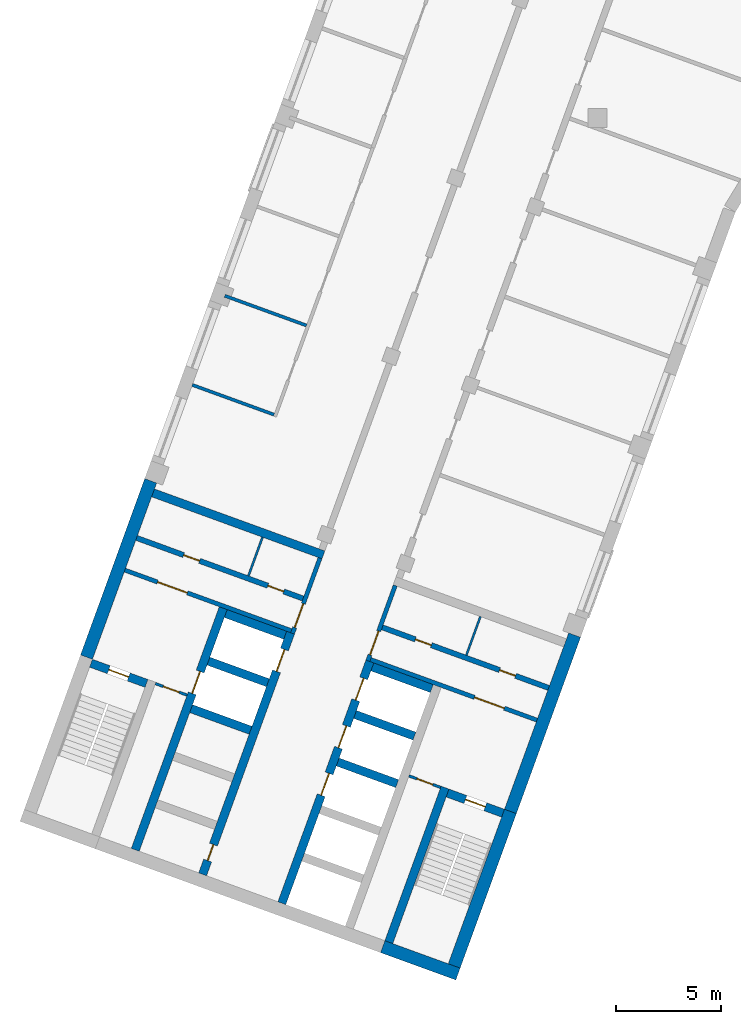
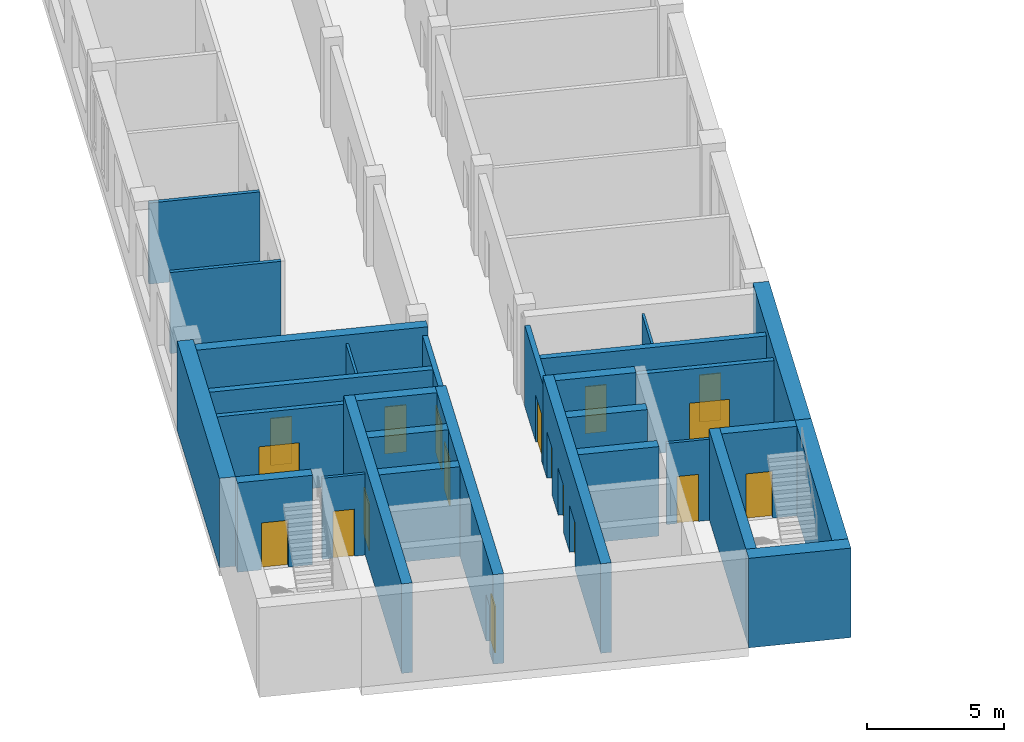
# One storey, part 2 of 12: 29 walls, 18 doors, 18 openings.
"""IFC4 building model written with IfcOpenShell, lengths in metres."""

from ifc_helpers import new_model, si_unit, direction, frame, frame_2d, origin, place, context, subcontext, project, spatial, rectangle, extrude, material, layer, layer_set, type_object, element, fill, save


model = new_model("IFC4")

# Units and contexts
model_context = context("Model", 3, precision=1e-05, world=origin(), true_north=direction((0.0, 1.0)))
body_context = subcontext(model_context, "Body", "Model", "MODEL_VIEW")
ifc_project = project(units=[si_unit("LENGTHUNIT", "METRE"), si_unit("AREAUNIT", "SQUARE_METRE"), si_unit("VOLUMEUNIT", "CUBIC_METRE"), si_unit("PLANEANGLEUNIT", "RADIAN"), si_unit("MASSUNIT", "GRAM", prefix="KILO")], contexts=[model_context])

# Site, building, storey
site_placement = place(None, origin())
site = spatial("IfcSite", under=ifc_project, at=site_placement, CompositionType="ELEMENT")
building_placement = place(site_placement, origin())
building = spatial("IfcBuilding", under=site, at=building_placement, Name="Skarvind Civic Tower", CompositionType="ELEMENT")
storey_placement = place(building_placement, frame((0.0, 0.0, 63.5)))
storey = spatial("IfcBuildingStorey", under=building, at=storey_placement, Name="L14", CompositionType="ELEMENT", Elevation=63.5)

# Wall, opening, door
ifc_material_1 = material(Name="Fire-rated masonry partition", Category="masonry")
ifc_layer_1 = layer(ifc_material_1, 0.199951171875)
ifc_layer_set_1 = layer_set([ifc_layer_1], Name="Core enclosure wall 200")
wall_type_1 = type_object("IfcWallType", Name="Core enclosure wall 200", PredefinedType="PARTITIONING", material=ifc_layer_set_1)
wall_1_placement = place(storey_placement, frame((31.491455078125, 93.693359375, 0.0), z_axis=(0.0, 0.0, 1.0), x_axis=(0.341995824804, 0.939701471648, 0.0)))
wall_1 = element("IfcWall", 1, at=wall_1_placement, inside=storey, type_object=wall_type_1, Name="Core wall C2", PredefinedType="PARTITIONING", context=body_context, shape_type="SweptSolid", body=[
    extrude(rectangle(XDim=3.800048828125, YDim=0.199951171875, at=frame_2d((1.89990234375, 0.0))), origin(), (0.0, 0.0, 1.0), 3.625),
])
opening_1_placement = place(wall_1_placement, frame((0.300048828125, 0.0, 0.0)))
opening_1 = element("IfcOpeningElement", 2, at=opening_1_placement, cuts=wall_1, Name="Opening D-L14-C2-06", PredefinedType="OPENING", context=body_context, shape_type="SweptSolid", body=[
    extrude(rectangle(XDim=1.199951171875, YDim=2.10009765625, at=frame_2d((0.60009765625, 1.050048828125))), frame((0.0, 0.10986328125, 0.0), z_axis=(0.0, -1.0, 0.0), x_axis=(1.0, 0.0, 0.0)), (0.0, 0.0, 1.0), 0.219970703125),
])
ifc_material_2 = material(Name="Fire-rated steel door", Category="steel")
door_type_1 = type_object("IfcDoorType", Name="Core lobby door 1200", OperationType="NOTDEFINED", PredefinedType="DOOR", material=ifc_material_2)
door_1_placement = place(opening_1_placement, origin())
door_1 = element("IfcDoor", 3, at=door_1_placement, inside=storey, type_object=door_type_1, Name="Fire door", OperationType="DOUBLE_DOOR_SINGLE_SWING", OverallHeight=2.10009765625, OverallWidth=1.199951171875, PredefinedType="DOOR", context=body_context, shape_type="SweptSolid", body=[
    extrude(rectangle(XDim=1.199951171875, YDim=2.10009765625, at=frame_2d((0.60009765625, 1.050048828125))), frame((0.0, 0.02490234375, 0.0), z_axis=(0.0, -1.0, 0.0), x_axis=(1.0, 0.0, 0.0)), (0.0, 0.0, 1.0), 0.050048828125),
])
fill(opening_1, door_1)

wall_2_placement = place(storey_placement, frame((23.5380859375, 96.6943359375, 0.0), z_axis=(0.0, 0.0, 1.0), x_axis=(0.939691552312, -0.342023078919, 0.0)))
wall_2 = element("IfcWall", 4, at=wall_2_placement, inside=storey, type_object=wall_type_1, Name="Core wall C2", PredefinedType="PARTITIONING", context=body_context, shape_type="SweptSolid", body=[
    extrude(rectangle(XDim=8.400146484375, YDim=0.199951171875, at=frame_2d((4.2001953125, 0.0))), origin(), (0.0, 0.0, 1.0), 3.625),
])
opening_2_placement = place(wall_2_placement, frame((1.64990234375, 0.0, 0.0)))
opening_2 = element("IfcOpeningElement", 5, at=opening_2_placement, cuts=wall_2, Name="Opening D-L14-C2-07", PredefinedType="OPENING", context=body_context, shape_type="SweptSolid", body=[
    extrude(rectangle(XDim=1.5, YDim=2.10009765625, at=frame_2d((0.75, 1.050048828125))), frame((0.0, 0.10986328125, 0.0), z_axis=(0.0, -1.0, 0.0), x_axis=(1.0, 0.0, 0.0)), (0.0, 0.0, 1.0), 0.219970703125),
])
door_type_2 = type_object("IfcDoorType", Name="Fire door 1500", OperationType="NOTDEFINED", PredefinedType="DOOR", material=ifc_material_2)
door_2_placement = place(opening_2_placement, origin())
door_2 = element("IfcDoor", 6, at=door_2_placement, inside=storey, type_object=door_type_2, Name="Fire door", OperationType="DOUBLE_DOOR_SINGLE_SWING", OverallHeight=2.10009765625, OverallWidth=1.5, PredefinedType="DOOR", context=body_context, shape_type="SweptSolid", body=[
    extrude(rectangle(XDim=1.5, YDim=2.10009765625, at=frame_2d((0.75, 1.050048828125))), frame((0.0, 0.02490234375, 0.0), z_axis=(0.0, -1.0, 0.0), x_axis=(1.0, 0.0, 0.0)), (0.0, 0.0, 1.0), 0.050048828125),
])
fill(opening_2, door_2)

wall_3_placement = place(storey_placement, frame((36.36181640625, 95.96435546875, 0.0), z_axis=(0.0, 0.0, 1.0), x_axis=(-0.341995824804, -0.939701471648, 0.0)))
wall_3 = element("IfcWall", 7, at=wall_3_placement, inside=storey, type_object=wall_type_1, Name="Core wall C2", PredefinedType="PARTITIONING", context=body_context, shape_type="SweptSolid", body=[
    extrude(rectangle(XDim=3.800048828125, YDim=0.199951171875, at=frame_2d((1.89990234375, 0.0))), origin(), (0.0, 0.0, 1.0), 3.625),
])
opening_3_placement = place(wall_3_placement, frame((2.300048828125, 0.0, 0.0)))
opening_3 = element("IfcOpeningElement", 8, at=opening_3_placement, cuts=wall_3, Name="Opening D-L14-C2-12", PredefinedType="OPENING", context=body_context, shape_type="SweptSolid", body=[
    extrude(rectangle(XDim=1.199951171875, YDim=2.10009765625, at=frame_2d((0.60009765625, 1.050048828125))), frame((0.0, 0.10986328125, 0.0), z_axis=(0.0, -1.0, 0.0), x_axis=(1.0, 0.0, 0.0)), (0.0, 0.0, 1.0), 0.219970703125),
])
door_3_placement = place(opening_3_placement, origin())
door_3 = element("IfcDoor", 9, at=door_3_placement, inside=storey, type_object=door_type_1, Name="Fire door", OperationType="DOUBLE_DOOR_SINGLE_SWING", OverallHeight=2.10009765625, OverallWidth=1.199951171875, PredefinedType="DOOR", context=body_context, shape_type="SweptSolid", body=[
    extrude(rectangle(XDim=1.199951171875, YDim=2.10009765625, at=frame_2d((0.60009765625, 1.050048828125))), frame((0.0, 0.02490234375, 0.0), z_axis=(0.0, -1.0, 0.0), x_axis=(1.0, 0.0, 0.0)), (0.0, 0.0, 1.0), 0.050048828125),
])
fill(opening_3, door_3)

wall_4_placement = place(storey_placement, frame((35.1904296875, 92.453369140625, 0.0), z_axis=(0.0, 0.0, 1.0), x_axis=(0.939691552312, -0.342023078919, 0.0)))
wall_4 = element("IfcWall", 10, at=wall_4_placement, inside=storey, type_object=wall_type_1, Name="Core wall C2", PredefinedType="PARTITIONING", context=body_context, shape_type="SweptSolid", body=[
    extrude(rectangle(XDim=8.400146484375, YDim=0.199951171875, at=frame_2d((4.2001953125, 0.0))), origin(), (0.0, 0.0, 1.0), 3.625),
])
opening_4_placement = place(wall_4_placement, frame((5.25, 0.0, 0.0)))
opening_4 = element("IfcOpeningElement", 11, at=opening_4_placement, cuts=wall_4, Name="Opening D-L14-C2-13", PredefinedType="OPENING", context=body_context, shape_type="SweptSolid", body=[
    extrude(rectangle(XDim=1.5, YDim=2.10009765625, at=frame_2d((0.75, 1.050048828125))), frame((0.0, 0.10986328125, 0.0), z_axis=(0.0, -1.0, 0.0), x_axis=(1.0, 0.0, 0.0)), (0.0, 0.0, 1.0), 0.219970703125),
])
door_4_placement = place(opening_4_placement, origin())
door_4 = element("IfcDoor", 12, at=door_4_placement, inside=storey, type_object=door_type_2, Name="Fire door", OperationType="DOUBLE_DOOR_SINGLE_SWING", OverallHeight=2.10009765625, OverallWidth=1.5, PredefinedType="DOOR", context=body_context, shape_type="SweptSolid", body=[
    extrude(rectangle(XDim=1.5, YDim=2.10009765625, at=frame_2d((0.75, 1.050048828125))), frame((0.0, 0.02490234375, 0.0), z_axis=(0.0, -1.0, 0.0), x_axis=(1.0, 0.0, 0.0)), (0.0, 0.0, 1.0), 0.050048828125),
])
fill(opening_4, door_4)

# Walls
ifc_material_3 = material(Name="Fire-rated plasterboard partition")
ifc_layer_2 = layer(ifc_material_3, 0.10009765625)
ifc_layer_set_2 = layer_set([ifc_layer_2], Name="Core partition wall 100")
wall_type_2 = type_object("IfcWallType", Name="Core partition wall 100", PredefinedType="PARTITIONING", material=ifc_layer_set_2)
for number, where, z_axis, x_axis, name in (
    (13, (29.399169921875, 96.423583984375, 0.0), (0.0, 0.0, 1.0), (0.341913947243, 0.939731266204, 0.0), "Core wall C2"),
    (14, (40.402587890625, 94.49365234375, 0.0), (0.0, 0.0, 1.0), (-0.342064742067, -0.939676386973, 0.0), "Core wall C2"),
):
    element("IfcWall", number, at=place(storey_placement, frame(where, z_axis=z_axis, x_axis=x_axis)), inside=storey, type_object=wall_type_2, Name=name, PredefinedType="PARTITIONING", context=body_context, shape_type="SweptSolid", body=[
        extrude(rectangle(XDim=1.949951171875, YDim=0.10009765625, at=frame_2d((0.97509765625, 0.0))), origin(), (0.0, 0.0, 1.0), 3.625),
    ])
ifc_material_4 = material(Name="Concrete C80", Category="concrete")
ifc_layer_3 = layer(ifc_material_4, 0.39990234375)
ifc_layer_set_3 = layer_set([ifc_layer_3], Name="Core wall 400 C80")
wall_type_3 = type_object("IfcWallType", Name="Core wall 400 C80", PredefinedType="SHEAR", material=ifc_layer_set_3)
wall_5_placement = place(storey_placement, frame((36.057861328125, 79.04833984375, 0.0), z_axis=(0.0, 0.0, 1.0), x_axis=(0.342016982193, 0.939693771338, 0.0)))
element("IfcWall", 15, at=wall_5_placement, inside=storey, type_object=wall_type_3, Name="Core wall C2 south stair inner L14", PredefinedType="SHEAR", context=body_context, shape_type="SweptSolid", body=[
    extrude(rectangle(XDim=7.800048828125, YDim=0.39990234375, at=frame_2d((3.89990234375, 0.0))), origin(), (0.0, 0.0, 1.0), 4.0),
])

# Wall, opening, door
wall_6_placement = place(storey_placement, frame((41.476318359375, 85.163818359375, 0.0), z_axis=(0.0, 0.0, 1.0), x_axis=(-0.939678810556, 0.342058084236, 0.0)))
wall_6 = element("IfcWall", 16, at=wall_6_placement, inside=storey, type_object=wall_type_3, Name="Core wall C2 south stair end L14", PredefinedType="SHEAR", context=body_context, shape_type="SweptSolid", body=[
    extrude(rectangle(XDim=2.800048828125, YDim=0.39990234375, at=frame_2d((1.39990234375, 0.0))), origin(), (0.0, 0.0, 1.0), 4.0),
])
opening_5_placement = place(wall_6_placement, frame((0.89990234375, 0.0, 0.0)))
opening_5 = element("IfcOpeningElement", 17, at=opening_5_placement, cuts=wall_6, Name="Opening D-L14-C2-14", PredefinedType="OPENING", context=body_context, shape_type="SweptSolid", body=[
    extrude(rectangle(XDim=1.0, YDim=2.10009765625, at=frame_2d((0.5, 1.050048828125))), frame((0.0, 0.2099609375, 0.0), z_axis=(0.0, -1.0, 0.0), x_axis=(1.0, 0.0, 0.0)), (0.0, 0.0, 1.0), 0.419921875),
])
door_type_3 = type_object("IfcDoorType", Name="Fire door 1000", OperationType="NOTDEFINED", PredefinedType="DOOR", material=ifc_material_2)
door_5_placement = place(opening_5_placement, origin())
door_5 = element("IfcDoor", 18, at=door_5_placement, inside=storey, type_object=door_type_3, Name="Fire door", OperationType="SINGLE_SWING_RIGHT", OverallHeight=2.10009765625, OverallWidth=1.0, PredefinedType="DOOR", context=body_context, shape_type="SweptSolid", body=[
    extrude(rectangle(XDim=1.0, YDim=2.10009765625, at=frame_2d((0.5, 1.050048828125))), frame((0.0, 0.02490234375, 0.0), z_axis=(0.0, -1.0, 0.0), x_axis=(1.0, 0.0, 0.0)), (0.0, 0.0, 1.0), 0.050048828125),
])
fill(opening_5, door_5)

wall_7_placement = place(storey_placement, frame((24.56201171875, 91.3203125, 0.0), z_axis=(0.0, 0.0, 1.0), x_axis=(-0.939717030584, 0.341953070509, 0.0)))
wall_7 = element("IfcWall", 19, at=wall_7_placement, inside=storey, type_object=wall_type_3, Name="Core wall C2 north stair end L14", PredefinedType="SHEAR", context=body_context, shape_type="SweptSolid", body=[
    extrude(rectangle(XDim=2.800048828125, YDim=0.39990234375, at=frame_2d((1.39990234375, 0.0))), origin(), (0.0, 0.0, 1.0), 4.0),
])
opening_6_placement = place(wall_7_placement, frame((0.89990234375, 0.0, 0.0)))
opening_6 = element("IfcOpeningElement", 20, at=opening_6_placement, cuts=wall_7, Name="Opening D-L14-C2-08", PredefinedType="OPENING", context=body_context, shape_type="SweptSolid", body=[
    extrude(rectangle(XDim=1.0, YDim=2.10009765625, at=frame_2d((0.5, 1.050048828125))), frame((0.0, 0.2099609375, 0.0), z_axis=(0.0, -1.0, 0.0), x_axis=(1.0, 0.0, 0.0)), (0.0, 0.0, 1.0), 0.419921875),
])
door_6_placement = place(opening_6_placement, origin())
door_6 = element("IfcDoor", 21, at=door_6_placement, inside=storey, type_object=door_type_3, Name="Fire door", OperationType="SINGLE_SWING_LEFT", OverallHeight=2.10009765625, OverallWidth=1.0, PredefinedType="DOOR", context=body_context, shape_type="SweptSolid", body=[
    extrude(rectangle(XDim=1.0, YDim=2.10009765625, at=frame_2d((0.5, 1.050048828125))), frame((0.0, 0.02490234375, 0.0), z_axis=(0.0, -1.0, 0.0), x_axis=(1.0, 0.0, 0.0)), (0.0, 0.0, 1.0), 0.050048828125),
])
fill(opening_6, door_6)

# Wall, openings, doors
wall_8_placement = place(storey_placement, frame((30.983642578125, 80.895263671875, 0.0), z_axis=(0.0, 0.0, 1.0), x_axis=(0.342021021735, 0.939692301071, 0.0)))
wall_8 = element("IfcWall", 22, at=wall_8_placement, inside=storey, type_object=wall_type_3, Name="Core wall C2 south lift row front L14", PredefinedType="SHEAR", context=body_context, shape_type="SweptSolid", body=[
    extrude(rectangle(XDim=12.199951171875, YDim=0.39990234375, at=frame_2d((6.10009765625, 0.0))), origin(), (0.0, 0.0, 1.0), 4.0),
])
opening_7_placement = place(wall_8_placement, frame((5.449951171875, 0.0, 0.0)))
opening_7 = element("IfcOpeningElement", 23, at=opening_7_placement, cuts=wall_8, Name="Opening LD16208", PredefinedType="OPENING", context=body_context, shape_type="SweptSolid", body=[
    extrude(rectangle(XDim=1.10009765625, YDim=2.10009765625, at=frame_2d((0.550048828125, 1.050048828125))), frame((0.0, 0.2099609375, 0.0), z_axis=(0.0, -1.0, 0.0), x_axis=(1.0, 0.0, 0.0)), (0.0, 0.0, 1.0), 0.419921875),
])
opening_8_placement = place(wall_8_placement, frame((7.85009765625, 0.0, 0.0)))
opening_8 = element("IfcOpeningElement", 24, at=opening_8_placement, cuts=wall_8, Name="Opening LD16209", PredefinedType="OPENING", context=body_context, shape_type="SweptSolid", body=[
    extrude(rectangle(XDim=1.10009765625, YDim=2.10009765625, at=frame_2d((0.550048828125, 1.050048828125))), frame((0.0, 0.2099609375, 0.0), z_axis=(0.0, -1.0, 0.0), x_axis=(1.0, 0.0, 0.0)), (0.0, 0.0, 1.0), 0.419921875),
])
opening_9_placement = place(wall_8_placement, frame((10.25, 0.0, 0.0)))
opening_9 = element("IfcOpeningElement", 25, at=opening_9_placement, cuts=wall_8, Name="Opening LD16210", PredefinedType="OPENING", context=body_context, shape_type="SweptSolid", body=[
    extrude(rectangle(XDim=1.10009765625, YDim=2.10009765625, at=frame_2d((0.550048828125, 1.050048828125))), frame((0.0, 0.2099609375, 0.0), z_axis=(0.0, -1.0, 0.0), x_axis=(1.0, 0.0, 0.0)), (0.0, 0.0, 1.0), 0.419921875),
])
ifc_material_5 = material(Name="Stainless steel landing door", Category="steel")
door_type_4 = type_object("IfcDoorType", Name="Lift landing door 1100", OperationType="DOUBLE_DOOR_SLIDING", PredefinedType="DOOR", material=ifc_material_5)
door_7_placement = place(opening_7_placement, origin())
door_7 = element("IfcDoor", 26, at=door_7_placement, inside=storey, type_object=door_type_4, Name="Lift landing door", OperationType="DOUBLE_DOOR_SLIDING", OverallHeight=2.10009765625, OverallWidth=1.10009765625, PredefinedType="DOOR", context=body_context, shape_type="SweptSolid", body=[
    extrude(rectangle(XDim=1.10009765625, YDim=2.10009765625, at=frame_2d((0.550048828125, 1.050048828125))), frame((0.0, 0.02490234375, 0.0), z_axis=(0.0, -1.0, 0.0), x_axis=(1.0, 0.0, 0.0)), (0.0, 0.0, 1.0), 0.050048828125),
])
fill(opening_7, door_7)
door_8_placement = place(opening_8_placement, origin())
door_8 = element("IfcDoor", 27, at=door_8_placement, inside=storey, type_object=door_type_4, Name="Lift landing door", OperationType="DOUBLE_DOOR_SLIDING", OverallHeight=2.10009765625, OverallWidth=1.10009765625, PredefinedType="DOOR", context=body_context, shape_type="SweptSolid", body=[
    extrude(rectangle(XDim=1.10009765625, YDim=2.10009765625, at=frame_2d((0.550048828125, 1.050048828125))), frame((0.0, 0.02490234375, 0.0), z_axis=(0.0, -1.0, 0.0), x_axis=(1.0, 0.0, 0.0)), (0.0, 0.0, 1.0), 0.050048828125),
])
fill(opening_8, door_8)
door_9_placement = place(opening_9_placement, origin())
door_9 = element("IfcDoor", 28, at=door_9_placement, inside=storey, type_object=door_type_4, Name="Lift landing door", OperationType="DOUBLE_DOOR_SLIDING", OverallHeight=2.10009765625, OverallWidth=1.10009765625, PredefinedType="DOOR", context=body_context, shape_type="SweptSolid", body=[
    extrude(rectangle(XDim=1.10009765625, YDim=2.10009765625, at=frame_2d((0.550048828125, 1.050048828125))), frame((0.0, 0.02490234375, 0.0), z_axis=(0.0, -1.0, 0.0), x_axis=(1.0, 0.0, 0.0)), (0.0, 0.0, 1.0), 0.050048828125),
])
fill(opening_9, door_9)

# Walls
for number, where, z_axis, x_axis, name in (
    (29, (36.453125, 86.56640625, 0.0), (0.0, 0.0, 1.0), (-0.939686455819, 0.342037080957, 0.0), "Core wall C2 south lift row division 3 L14"),
    (30, (37.27392578125, 88.82177734375, 0.0), (0.0, 0.0, 1.0), (-0.939686455819, 0.342037080957, 0.0), "Core wall C2 south lift row division 4 L14"),
):
    element("IfcWall", number, at=place(storey_placement, frame(where, z_axis=z_axis, x_axis=x_axis)), inside=storey, type_object=wall_type_3, Name=name, PredefinedType="SHEAR", context=body_context, shape_type="SweptSolid", body=[
        extrude(rectangle(XDim=3.0, YDim=0.39990234375, at=frame_2d((1.5, 0.0))), origin(), (0.0, 0.0, 1.0), 4.0),
    ])
wall_9_placement = place(storey_placement, frame((38.0947265625, 91.076904296875, 0.0), z_axis=(0.0, 0.0, 1.0), x_axis=(-0.939676934218, 0.342063238742, 0.0)))
element("IfcWall", 31, at=wall_9_placement, inside=storey, type_object=wall_type_3, Name="Core wall C2 south lift row division 5 L14", PredefinedType="SHEAR", context=body_context, shape_type="SweptSolid", body=[
    extrude(rectangle(XDim=2.999755859375, YDim=0.39990234375, at=frame_2d((1.5, 0.0))), origin(), (0.0, 0.0, 1.0), 4.0),
])

# Wall, openings, doors
wall_10_placement = place(storey_placement, frame((27.224853515625, 82.26318359375, 0.0), z_axis=(0.0, 0.0, 1.0), x_axis=(0.342014590177, 0.939694641948, 0.0)))
wall_10 = element("IfcWall", 32, at=wall_10_placement, inside=storey, type_object=wall_type_3, Name="Core wall C2 north lift row front L14", PredefinedType="SHEAR", context=body_context, shape_type="SweptSolid", body=[
    extrude(rectangle(XDim=12.2001953125, YDim=0.39990234375, at=frame_2d((6.10009765625, 0.0))), origin(), (0.0, 0.0, 1.0), 4.0),
])
opening_10_placement = place(wall_10_placement, frame((10.25, 0.0, 0.0)))
opening_10 = element("IfcOpeningElement", 33, at=opening_10_placement, cuts=wall_10, Name="Opening LD16205", PredefinedType="OPENING", context=body_context, shape_type="SweptSolid", body=[
    extrude(rectangle(XDim=1.10009765625, YDim=2.10009765625, at=frame_2d((0.550048828125, 1.050048828125))), frame((0.0, 0.2099609375, 0.0), z_axis=(0.0, -1.0, 0.0), x_axis=(1.0, 0.0, 0.0)), (0.0, 0.0, 1.0), 0.419921875),
])
opening_11_placement = place(wall_10_placement, frame((0.699951171875, 0.0, 0.0)))
opening_11 = element("IfcOpeningElement", 34, at=opening_11_placement, cuts=wall_10, Name="Opening D-L14-C2-05", PredefinedType="OPENING", context=body_context, shape_type="SweptSolid", body=[
    extrude(rectangle(XDim=0.800048828125, YDim=2.10009765625, at=frame_2d((0.39990234375, 1.050048828125))), frame((0.0, 0.2099609375, 0.0), z_axis=(0.0, -1.0, 0.0), x_axis=(1.0, 0.0, 0.0)), (0.0, 0.0, 1.0), 0.419921875),
])
door_type_5 = type_object("IfcDoorType", Name="Core riser door 800", OperationType="NOTDEFINED", PredefinedType="DOOR", material=ifc_material_2)
door_10_placement = place(opening_11_placement, origin())
door_10 = element("IfcDoor", 35, at=door_10_placement, inside=storey, type_object=door_type_5, Name="Riser door", OperationType="SINGLE_SWING_LEFT", OverallHeight=2.10009765625, OverallWidth=0.800048828125, PredefinedType="DOOR", context=body_context, shape_type="SweptSolid", body=[
    extrude(rectangle(XDim=0.800048828125, YDim=2.10009765625, at=frame_2d((0.39990234375, 1.050048828125))), frame((0.0, 0.02490234375, 0.0), z_axis=(0.0, -1.0, 0.0), x_axis=(1.0, 0.0, 0.0)), (0.0, 0.0, 1.0), 0.050048828125),
])
fill(opening_11, door_10)
door_11_placement = place(opening_10_placement, origin())
door_11 = element("IfcDoor", 36, at=door_11_placement, inside=storey, type_object=door_type_4, Name="Lift landing door", OperationType="DOUBLE_DOOR_SLIDING", OverallHeight=2.10009765625, OverallWidth=1.10009765625, PredefinedType="DOOR", context=body_context, shape_type="SweptSolid", body=[
    extrude(rectangle(XDim=1.10009765625, YDim=2.10009765625, at=frame_2d((0.550048828125, 1.050048828125))), frame((0.0, 0.02490234375, 0.0), z_axis=(0.0, -1.0, 0.0), x_axis=(1.0, 0.0, 0.0)), (0.0, 0.0, 1.0), 0.050048828125),
])
fill(opening_10, door_11)

# Wall, opening, door
wall_11_placement = place(storey_placement, frame((24.02978515625, 83.426025390625, 0.0), z_axis=(0.0, 0.0, 1.0), x_axis=(0.342014590177, 0.939694641948, 0.0)))
wall_11 = element("IfcWall", 37, at=wall_11_placement, inside=storey, type_object=wall_type_3, Name="Core wall C2 north lift row back L14", PredefinedType="SHEAR", context=body_context, shape_type="SweptSolid", body=[
    extrude(rectangle(XDim=12.2001953125, YDim=0.39990234375, at=frame_2d((6.10009765625, 0.0))), origin(), (0.0, 0.0, 1.0), 4.0),
])
opening_12_placement = place(wall_11_placement, frame((7.89990234375, 0.0, 0.0)))
opening_12 = element("IfcOpeningElement", 38, at=opening_12_placement, cuts=wall_11, Name="Opening LD16204", PredefinedType="OPENING", context=body_context, shape_type="SweptSolid", body=[
    extrude(rectangle(XDim=1.10009765625, YDim=2.10009765625, at=frame_2d((0.550048828125, 1.050048828125))), frame((0.0, 0.2099609375, 0.0), z_axis=(0.0, -1.0, 0.0), x_axis=(1.0, 0.0, 0.0)), (0.0, 0.0, 1.0), 0.419921875),
])
door_12_placement = place(opening_12_placement, origin())
door_12 = element("IfcDoor", 39, at=door_12_placement, inside=storey, type_object=door_type_4, Name="Lift landing door", OperationType="DOUBLE_DOOR_SLIDING", OverallHeight=2.10009765625, OverallWidth=1.10009765625, PredefinedType="DOOR", context=body_context, shape_type="SweptSolid", body=[
    extrude(rectangle(XDim=1.10009765625, YDim=2.10009765625, at=frame_2d((0.550048828125, 1.050048828125))), frame((0.0, 0.02490234375, 0.0), z_axis=(0.0, -1.0, 0.0), x_axis=(1.0, 0.0, 0.0)), (0.0, 0.0, 1.0), 0.050048828125),
])
fill(opening_12, door_12)

# Walls
for number, where, z_axis, x_axis, name in (
    (40, (29.49951171875, 89.097412109375, 0.0), (0.0, 0.0, 1.0), (-0.939686455819, 0.342037080957, 0.0), "Core wall C2 north lift row division 3 L14"),
    (41, (30.3203125, 91.352783203125, 0.0), (0.0, 0.0, 1.0), (-0.939712609717, 0.341965219194, 0.0), "Core wall C2 north lift row division 4 L14"),
    (42, (31.14111328125, 93.60791015625, 0.0), (0.0, 0.0, 1.0), (-0.939686455819, 0.342037080957, 0.0), "Core wall C2 north lift row division 5 L14"),
):
    element("IfcWall", number, at=place(storey_placement, frame(where, z_axis=z_axis, x_axis=x_axis)), inside=storey, type_object=wall_type_3, Name=name, PredefinedType="SHEAR", context=body_context, shape_type="SweptSolid", body=[
        extrude(rectangle(XDim=3.0, YDim=0.39990234375, at=frame_2d((1.5, 0.0))), origin(), (0.0, 0.0, 1.0), 4.0),
    ])
wall_12_placement = place(storey_placement, frame((32.953369140625, 97.417724609375, 0.0), z_axis=(0.0, 0.0, 1.0), x_axis=(-0.93969060187, 0.342025690201, 0.0)))
element("IfcWall", 43, at=wall_12_placement, inside=storey, type_object=wall_type_3, Name="Core wall C2 north inner face L14", PredefinedType="SHEAR", context=body_context, shape_type="SweptSolid", body=[
    extrude(rectangle(XDim=8.599853515625, YDim=0.39990234375, at=frame_2d((4.2998046875, 0.0))), origin(), (0.0, 0.0, 1.0), 4.0),
])
ifc_layer_4 = layer(ifc_material_4, 0.60009765625)
ifc_layer_set_4 = layer_set([ifc_layer_4], Name="Core wall 600 C80")
wall_type_4 = type_object("IfcWallType", Name="Core wall 600 C80", PredefinedType="SHEAR", material=ifc_layer_set_4)
wall_13_placement = place(storey_placement, frame((39.338134765625, 77.53515625, 0.0), z_axis=(0.0, 0.0, 1.0), x_axis=(-0.939701471648, 0.341995824804, 0.0)))
element("IfcWall", 44, at=wall_13_placement, inside=storey, type_object=wall_type_4, Name="Core wall C2 tip at the south stair L14", PredefinedType="SHEAR", context=body_context, shape_type="SweptSolid", body=[
    extrude(rectangle(XDim=3.800048828125, YDim=0.60009765625, at=frame_2d((1.89990234375, 0.0))), origin(), (0.0, 0.0, 1.0), 4.0),
])
wall_14_placement = place(storey_placement, frame((39.158935546875, 77.919677734375, 0.0), z_axis=(0.0, 0.0, 1.0), x_axis=(0.342016982193, 0.939693771338, 0.0)))
element("IfcWall", 45, at=wall_14_placement, inside=storey, type_object=wall_type_4, Name="Core wall C2 south side at the stair L14", PredefinedType="SHEAR", context=body_context, shape_type="SweptSolid", body=[
    extrude(rectangle(XDim=7.800048828125, YDim=0.60009765625, at=frame_2d((3.89990234375, 0.0))), origin(), (0.0, 0.0, 1.0), 4.0),
])
for number, where, z_axis, x_axis, name in (
    (46, (41.82666015625, 85.249267578125, 0.0), (0.0, 0.0, 1.0), (0.342016162452, 0.939694069696, 0.0), "Core wall C2 south side L14"),
    (47, (21.71728515625, 92.568359375, 0.0), (0.0, 0.0, 1.0), (0.342016162452, 0.939694069696, 0.0), "Core wall C2 north side L14"),
):
    element("IfcWall", number, at=place(storey_placement, frame(where, z_axis=z_axis, x_axis=x_axis)), inside=storey, type_object=wall_type_4, Name=name, PredefinedType="SHEAR", context=body_context, shape_type="SweptSolid", body=[
        extrude(rectangle(XDim=8.89990234375, YDim=0.60009765625, at=frame_2d((4.449951171875, 0.0))), origin(), (0.0, 0.0, 1.0), 4.0),
    ])
ifc_material_6 = material(Name="Plasterboard partition on steel studs", Category="steel")
ifc_layer_5 = layer(ifc_material_6, 0.14990234375)
ifc_layer_set_5 = layer_set([ifc_layer_5], Name="PARTITION 150")
wall_type_5 = type_object("IfcWallType", Name="PARTITION 150", PredefinedType="PARTITIONING", material=ifc_layer_set_5)
wall_15_placement = place(storey_placement, frame((26.736083984375, 105.47998046875, 0.0), z_axis=(0.0, 0.0, 1.0), x_axis=(0.939784783713, -0.341766821533, 0.0)))
element("IfcWall", 48, at=wall_15_placement, inside=storey, type_object=wall_type_5, Name="Partition 14.001", PredefinedType="PARTITIONING", context=body_context, shape_type="SweptSolid", body=[
    extrude(rectangle(XDim=4.125244140625, YDim=0.14990234375, at=frame_2d((2.0625, 0.0))), origin(), (0.0, 0.0, 1.0), 3.625),
])
wall_16_placement = place(storey_placement, frame((28.27490234375, 109.708984375, 0.0), z_axis=(0.0, 0.0, 1.0), x_axis=(0.939791695678, -0.341747814529, 0.0)))
element("IfcWall", 49, at=wall_16_placement, inside=storey, type_object=wall_type_5, Name="Partition 14.002", PredefinedType="PARTITIONING", context=body_context, shape_type="SweptSolid", body=[
    extrude(rectangle(XDim=4.12548828125, YDim=0.14990234375, at=frame_2d((2.062744140625, 0.0))), origin(), (0.0, 0.0, 1.0), 3.625),
])

# Wall, opening, door
ifc_layer_6 = layer(ifc_material_1, 0.125)
ifc_layer_set_6 = layer_set([ifc_layer_6], Name="Riser wall 125")
wall_type_6 = type_object("IfcWallType", Name="Riser wall 125", PredefinedType="PARTITIONING", material=ifc_layer_set_6)
wall_17_placement = place(storey_placement, frame((24.98486328125, 91.3125, 0.0), z_axis=(0.0, 0.0, 1.0), x_axis=(0.939708740826, -0.341975850632, 0.0)))
wall_17 = element("IfcWall", 50, at=wall_17_placement, inside=storey, type_object=wall_type_6, Name="Core wall C2", PredefinedType="PARTITIONING", context=body_context, shape_type="SweptSolid", body=[
    extrude(rectangle(XDim=1.599853515625, YDim=0.125, at=frame_2d((0.7998046875, 0.0))), origin(), (0.0, 0.0, 1.0), 3.625),
])
opening_13_placement = place(wall_17_placement, frame((0.39990234375, 0.0, 0.0)))
opening_13 = element("IfcOpeningElement", 51, at=opening_13_placement, cuts=wall_17, Name="Opening D-L14-C2-09", PredefinedType="OPENING", context=body_context, shape_type="SweptSolid", body=[
    extrude(rectangle(XDim=0.800048828125, YDim=2.10009765625, at=frame_2d((0.39990234375, 1.050048828125))), frame((0.0, 0.072509765625, 0.0), z_axis=(0.0, -1.0, 0.0), x_axis=(1.0, 0.0, 0.0)), (0.0, 0.0, 1.0), 0.14501953125),
])
door_13_placement = place(opening_13_placement, origin())
door_13 = element("IfcDoor", 52, at=door_13_placement, inside=storey, type_object=door_type_5, Name="Riser door", OperationType="SINGLE_SWING_RIGHT", OverallHeight=2.10009765625, OverallWidth=0.800048828125, PredefinedType="DOOR", context=body_context, shape_type="SweptSolid", body=[
    extrude(rectangle(XDim=0.800048828125, YDim=2.10009765625, at=frame_2d((0.39990234375, 1.050048828125))), frame((0.0, 0.02490234375, 0.0), z_axis=(0.0, -1.0, 0.0), x_axis=(1.0, 0.0, 0.0)), (0.0, 0.0, 1.0), 0.050048828125),
])
fill(opening_13, door_13)

wall_18_placement = place(storey_placement, frame((37.012939453125, 86.934814453125, 0.0), z_axis=(0.0, 0.0, 1.0), x_axis=(0.939659694648, -0.342110593602, 0.0)))
wall_18 = element("IfcWall", 53, at=wall_18_placement, inside=storey, type_object=wall_type_6, Name="Core wall C2", PredefinedType="PARTITIONING", context=body_context, shape_type="SweptSolid", body=[
    extrude(rectangle(XDim=1.599853515625, YDim=0.125, at=frame_2d((0.7998046875, 0.0))), origin(), (0.0, 0.0, 1.0), 3.625),
])
opening_14_placement = place(wall_18_placement, frame((0.39990234375, 0.0, 0.0)))
opening_14 = element("IfcOpeningElement", 54, at=opening_14_placement, cuts=wall_18, Name="Opening D-L14-C2-15", PredefinedType="OPENING", context=body_context, shape_type="SweptSolid", body=[
    extrude(rectangle(XDim=0.800048828125, YDim=2.10009765625, at=frame_2d((0.39990234375, 1.050048828125))), frame((0.0, 0.072509765625, 0.0), z_axis=(0.0, -1.0, 0.0), x_axis=(1.0, 0.0, 0.0)), (0.0, 0.0, 1.0), 0.14501953125),
])
door_14_placement = place(opening_14_placement, origin())
door_14 = element("IfcDoor", 55, at=door_14_placement, inside=storey, type_object=door_type_5, Name="Riser door", OperationType="SINGLE_SWING_LEFT", OverallHeight=2.10009765625, OverallWidth=0.800048828125, PredefinedType="DOOR", context=body_context, shape_type="SweptSolid", body=[
    extrude(rectangle(XDim=0.800048828125, YDim=2.10009765625, at=frame_2d((0.39990234375, 1.050048828125))), frame((0.0, 0.02490234375, 0.0), z_axis=(0.0, -1.0, 0.0), x_axis=(1.0, 0.0, 0.0)), (0.0, 0.0, 1.0), 0.050048828125),
])
fill(opening_14, door_14)

# Wall, openings, doors
ifc_layer_7 = layer(ifc_material_1, 0.25)
ifc_layer_set_7 = layer_set([ifc_layer_7], Name="Service block wall 250")
wall_type_7 = type_object("IfcWallType", Name="Service block wall 250", PredefinedType="PARTITIONING", material=ifc_layer_set_7)
wall_19_placement = place(storey_placement, frame((24.093994140625, 98.221435546875, 0.0), z_axis=(0.0, 0.0, 1.0), x_axis=(0.939691552312, -0.342023078919, 0.0)))
wall_19 = element("IfcWall", 56, at=wall_19_placement, inside=storey, type_object=wall_type_7, Name="Core wall C2", PredefinedType="PARTITIONING", context=body_context, shape_type="SweptSolid", body=[
    extrude(rectangle(XDim=8.400146484375, YDim=0.25, at=frame_2d((4.2001953125, 0.0))), origin(), (0.0, 0.0, 1.0), 3.625),
])
opening_15_placement = place(wall_19_placement, frame((6.625, 0.0, 0.0)))
opening_15 = element("IfcOpeningElement", 57, at=opening_15_placement, cuts=wall_19, Name="Opening D-L14-C2-10", PredefinedType="OPENING", context=body_context, shape_type="SweptSolid", body=[
    extrude(rectangle(XDim=0.800048828125, YDim=2.10009765625, at=frame_2d((0.39990234375, 1.050048828125))), frame((0.0, 0.135009765625, 0.0), z_axis=(0.0, -1.0, 0.0), x_axis=(1.0, 0.0, 0.0)), (0.0, 0.0, 1.0), 0.27001953125),
])
opening_16_placement = place(wall_19_placement, frame((2.375, 0.0, 0.0)))
opening_16 = element("IfcOpeningElement", 58, at=opening_16_placement, cuts=wall_19, Name="Opening D-L14-C2-11", PredefinedType="OPENING", context=body_context, shape_type="SweptSolid", body=[
    extrude(rectangle(XDim=0.800048828125, YDim=2.10009765625, at=frame_2d((0.39990234375, 1.050048828125))), frame((0.0, 0.135009765625, 0.0), z_axis=(0.0, -1.0, 0.0), x_axis=(1.0, 0.0, 0.0)), (0.0, 0.0, 1.0), 0.27001953125),
])
door_15_placement = place(opening_15_placement, origin())
door_15 = element("IfcDoor", 59, at=door_15_placement, inside=storey, type_object=door_type_5, Name="Riser door", OperationType="SINGLE_SWING_LEFT", OverallHeight=2.10009765625, OverallWidth=0.800048828125, PredefinedType="DOOR", context=body_context, shape_type="SweptSolid", body=[
    extrude(rectangle(XDim=0.800048828125, YDim=2.10009765625, at=frame_2d((0.39990234375, 1.050048828125))), frame((0.0, 0.02490234375, 0.0), z_axis=(0.0, -1.0, 0.0), x_axis=(1.0, 0.0, 0.0)), (0.0, 0.0, 1.0), 0.050048828125),
])
fill(opening_15, door_15)
door_16_placement = place(opening_16_placement, origin())
door_16 = element("IfcDoor", 60, at=door_16_placement, inside=storey, type_object=door_type_5, Name="Riser door", OperationType="SINGLE_SWING_RIGHT", OverallHeight=2.10009765625, OverallWidth=0.800048828125, PredefinedType="DOOR", context=body_context, shape_type="SweptSolid", body=[
    extrude(rectangle(XDim=0.800048828125, YDim=2.10009765625, at=frame_2d((0.39990234375, 1.050048828125))), frame((0.0, 0.02490234375, 0.0), z_axis=(0.0, -1.0, 0.0), x_axis=(1.0, 0.0, 0.0)), (0.0, 0.0, 1.0), 0.050048828125),
])
fill(opening_16, door_16)

wall_20_placement = place(storey_placement, frame((35.74609375, 93.98046875, 0.0), z_axis=(0.0, 0.0, 1.0), x_axis=(0.939691552312, -0.342023078919, 0.0)))
wall_20 = element("IfcWall", 61, at=wall_20_placement, inside=storey, type_object=wall_type_7, Name="Core wall C2", PredefinedType="PARTITIONING", context=body_context, shape_type="SweptSolid", body=[
    extrude(rectangle(XDim=8.400146484375, YDim=0.25, at=frame_2d((4.2001953125, 0.0))), origin(), (0.0, 0.0, 1.0), 3.625),
])
opening_17_placement = place(wall_20_placement, frame((1.675048828125, 0.0, 0.0)))
opening_17 = element("IfcOpeningElement", 62, at=opening_17_placement, cuts=wall_20, Name="Opening D-L14-C2-16", PredefinedType="OPENING", context=body_context, shape_type="SweptSolid", body=[
    extrude(rectangle(XDim=0.800048828125, YDim=2.10009765625, at=frame_2d((0.39990234375, 1.050048828125))), frame((0.0, 0.135009765625, 0.0), z_axis=(0.0, -1.0, 0.0), x_axis=(1.0, 0.0, 0.0)), (0.0, 0.0, 1.0), 0.27001953125),
])
opening_18_placement = place(wall_20_placement, frame((5.925048828125, 0.0, 0.0)))
opening_18 = element("IfcOpeningElement", 63, at=opening_18_placement, cuts=wall_20, Name="Opening D-L14-C2-17", PredefinedType="OPENING", context=body_context, shape_type="SweptSolid", body=[
    extrude(rectangle(XDim=0.800048828125, YDim=2.10009765625, at=frame_2d((0.39990234375, 1.050048828125))), frame((0.0, 0.135009765625, 0.0), z_axis=(0.0, -1.0, 0.0), x_axis=(1.0, 0.0, 0.0)), (0.0, 0.0, 1.0), 0.27001953125),
])
door_17_placement = place(opening_17_placement, origin())
door_17 = element("IfcDoor", 64, at=door_17_placement, inside=storey, type_object=door_type_5, Name="Riser door", OperationType="SINGLE_SWING_RIGHT", OverallHeight=2.10009765625, OverallWidth=0.800048828125, PredefinedType="DOOR", context=body_context, shape_type="SweptSolid", body=[
    extrude(rectangle(XDim=0.800048828125, YDim=2.10009765625, at=frame_2d((0.39990234375, 1.050048828125))), frame((0.0, 0.02490234375, 0.0), z_axis=(0.0, -1.0, 0.0), x_axis=(1.0, 0.0, 0.0)), (0.0, 0.0, 1.0), 0.050048828125),
])
fill(opening_17, door_17)
door_18_placement = place(opening_18_placement, origin())
door_18 = element("IfcDoor", 65, at=door_18_placement, inside=storey, type_object=door_type_5, Name="Riser door", OperationType="SINGLE_SWING_LEFT", OverallHeight=2.10009765625, OverallWidth=0.800048828125, PredefinedType="DOOR", context=body_context, shape_type="SweptSolid", body=[
    extrude(rectangle(XDim=0.800048828125, YDim=2.10009765625, at=frame_2d((0.39990234375, 1.050048828125))), frame((0.0, 0.02490234375, 0.0), z_axis=(0.0, -1.0, 0.0), x_axis=(1.0, 0.0, 0.0)), (0.0, 0.0, 1.0), 0.050048828125),
])
fill(opening_18, door_18)

save(model, "model.ifc")
